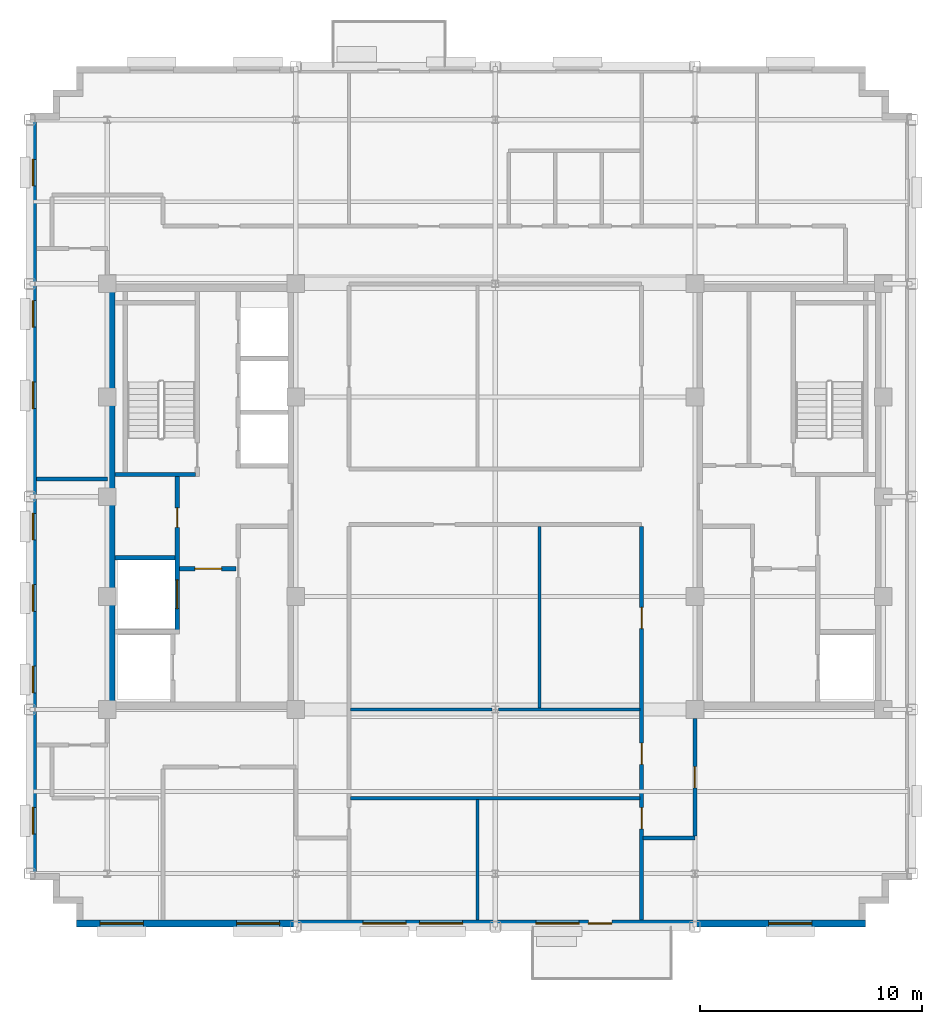
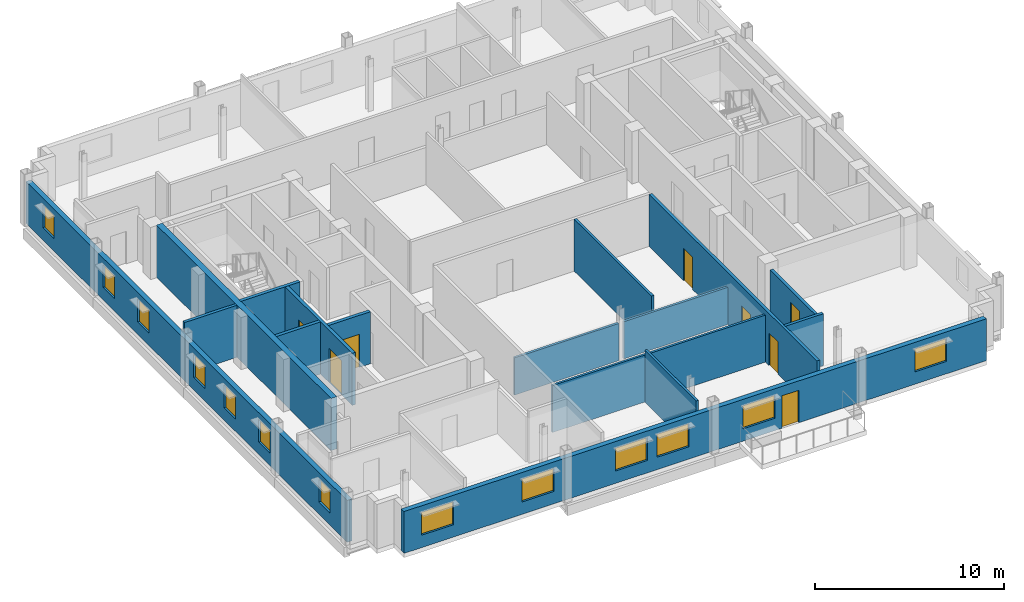
# One storey, part 6 of 13: 16 walls, 13 windows, 8 doors, 21 openings.
"""IFC4 building model written with IfcOpenShell, lengths in metres."""

from ifc_helpers import new_model, si_unit, direction, frame, frame_2d, origin, place, context, subcontext, project, spatial, rectangle, extrude, source, transform, mapped, material, layer, layer_set, type_object, type_shapes, element, fill, save


model = new_model("IFC4")

# Units and contexts
model_context = context("Model", 3, precision=1e-05, world=origin(), true_north=direction((0.0, 1.0)))
body_context = subcontext(model_context, "Body", "Model", "MODEL_VIEW")
ifc_project = project(units=[si_unit("LENGTHUNIT", "METRE"), si_unit("AREAUNIT", "SQUARE_METRE"), si_unit("VOLUMEUNIT", "CUBIC_METRE"), si_unit("PLANEANGLEUNIT", "RADIAN"), si_unit("MASSUNIT", "GRAM", prefix="KILO")], contexts=[model_context])

# Site, building, storey
site_placement = place(None, origin())
site = spatial("IfcSite", under=ifc_project, at=site_placement, CompositionType="ELEMENT")
building_placement = place(site_placement, origin())
building = spatial("IfcBuilding", under=site, at=building_placement, Name="Nuvemarco Arch Tower", CompositionType="ELEMENT")
storey_placement = place(building_placement, frame((0.0, 0.0, 276.199951171875)))
storey = spatial("IfcBuildingStorey", under=building, at=storey_placement, Name="L73", CompositionType="ELEMENT", Elevation=276.199951171875)

# Wall, openings, door, windows
ifc_material_1 = material(Name="Precast concrete C45/55", Category="concrete")
ifc_layer_1 = layer(ifc_material_1, 0.300048828125, Name="EW-HIGH-300")
ifc_layer_set_1 = layer_set([ifc_layer_1], Name="Precast concrete C45/55")
wall_type_1 = type_object("IfcWallType", Name="EW-HIGH-300", PredefinedType="STANDARD", material=ifc_layer_set_1)
wall_1_placement = place(storey_placement, frame((-18.89990234375, -19.25, 0.0), z_axis=(0.0, 0.0, 1.0), x_axis=(1.0, 0.0, 0.0)))
wall_1 = element("IfcWall", 1, at=wall_1_placement, inside=storey, type_object=wall_type_1, Name="L73 exterior precast facade wall 1", PredefinedType="STANDARD", context=body_context, shape_type="SweptSolid", body=[
    extrude(rectangle(XDim=35.599853515625, YDim=0.300048828125, at=frame_2d((17.7998046875, 0.0))), origin(), (0.0, 0.0, 1.0), 2.705078125),
])
opening_1_placement = place(wall_1_placement, frame((24.150146484375, 0.0, 0.0), z_axis=(0.0, 0.0, 1.0), x_axis=(-1.0, 0.0, 0.0)))
opening_1 = element("IfcOpeningElement", 2, at=opening_1_placement, cuts=wall_1, Name="Opening ED-5", PredefinedType="OPENING", context=body_context, shape_type="SweptSolid", body=[
    extrude(rectangle(XDim=1.050048828125, YDim=2.10009765625, at=frame_2d((0.52490234375, 1.050048828125))), frame((0.0, 0.159912109375, 0.0), z_axis=(0.0, -1.0, 0.0), x_axis=(1.0, 0.0, 0.0)), (0.0, 0.0, 1.0), 0.320068359375),
])
opening_2_placement = place(wall_1_placement, frame((1.074951171875, 0.0, 0.800048828125)))
opening_2 = element("IfcOpeningElement", 3, at=opening_2_placement, cuts=wall_1, Name="Opening WN-7", PredefinedType="OPENING", context=body_context, shape_type="SweptSolid", body=[
    extrude(rectangle(XDim=1.949951171875, YDim=1.47998046875, at=frame_2d((0.97509765625, 0.739990234375))), frame((0.0, 0.159912109375, 0.0), z_axis=(0.0, -1.0, 0.0), x_axis=(1.0, 0.0, 0.0)), (0.0, 0.0, 1.0), 0.320068359375),
])
opening_3_placement = place(wall_1_placement, frame((7.22509765625, 0.0, 0.800048828125)))
opening_3 = element("IfcOpeningElement", 4, at=opening_3_placement, cuts=wall_1, Name="Opening WN-7", PredefinedType="OPENING", context=body_context, shape_type="SweptSolid", body=[
    extrude(rectangle(XDim=1.949951171875, YDim=1.47998046875, at=frame_2d((0.97509765625, 0.739990234375))), frame((0.0, 0.159912109375, 0.0), z_axis=(0.0, -1.0, 0.0), x_axis=(1.0, 0.0, 0.0)), (0.0, 0.0, 1.0), 0.320068359375),
])
opening_4_placement = place(wall_1_placement, frame((12.925048828125, 0.0, 0.800048828125)))
opening_4 = element("IfcOpeningElement", 5, at=opening_4_placement, cuts=wall_1, Name="Opening WN-7", PredefinedType="OPENING", context=body_context, shape_type="SweptSolid", body=[
    extrude(rectangle(XDim=1.949951171875, YDim=1.47998046875, at=frame_2d((0.97509765625, 0.739990234375))), frame((0.0, 0.159912109375, 0.0), z_axis=(0.0, -1.0, 0.0), x_axis=(1.0, 0.0, 0.0)), (0.0, 0.0, 1.0), 0.320068359375),
])
opening_5_placement = place(wall_1_placement, frame((15.47509765625, 0.0, 0.800048828125)))
opening_5 = element("IfcOpeningElement", 6, at=opening_5_placement, cuts=wall_1, Name="Opening WN-7", PredefinedType="OPENING", context=body_context, shape_type="SweptSolid", body=[
    extrude(rectangle(XDim=1.949951171875, YDim=1.47998046875, at=frame_2d((0.97509765625, 0.739990234375))), frame((0.0, 0.159912109375, 0.0), z_axis=(0.0, -1.0, 0.0), x_axis=(1.0, 0.0, 0.0)), (0.0, 0.0, 1.0), 0.320068359375),
])
opening_6_placement = place(wall_1_placement, frame((20.72509765625, 0.0, 0.800048828125)))
opening_6 = element("IfcOpeningElement", 7, at=opening_6_placement, cuts=wall_1, Name="Opening WN-7", PredefinedType="OPENING", context=body_context, shape_type="SweptSolid", body=[
    extrude(rectangle(XDim=1.949951171875, YDim=1.47998046875, at=frame_2d((0.97509765625, 0.739990234375))), frame((0.0, 0.159912109375, 0.0), z_axis=(0.0, -1.0, 0.0), x_axis=(1.0, 0.0, 0.0)), (0.0, 0.0, 1.0), 0.320068359375),
])
opening_7_placement = place(wall_1_placement, frame((31.22509765625, 0.0, 0.800048828125)))
opening_7 = element("IfcOpeningElement", 8, at=opening_7_placement, cuts=wall_1, Name="Opening WN-7", PredefinedType="OPENING", context=body_context, shape_type="SweptSolid", body=[
    extrude(rectangle(XDim=1.949951171875, YDim=1.47998046875, at=frame_2d((0.97509765625, 0.739990234375))), frame((0.0, 0.159912109375, 0.0), z_axis=(0.0, -1.0, 0.0), x_axis=(1.0, 0.0, 0.0)), (0.0, 0.0, 1.0), 0.320068359375),
])
ifc_material_2 = material(Name="Anodised bronze and laminated glass", Category="glass")
door_type_1 = type_object("IfcDoorType", Name="DR-EXT-TERR", OperationType="NOTDEFINED", PredefinedType="DOOR", material=ifc_material_2)
shared_shape_1 = source(origin(), body_context, "Body", "SweptSolid", [
    extrude(rectangle(XDim=1.050048828125, YDim=2.10009765625, at=frame_2d((0.52490234375, 1.050048828125))), frame((0.0, 0.02490234375, 0.0), z_axis=(0.0, -1.0, 0.0), x_axis=(1.0, 0.0, 0.0)), (0.0, 0.0, 1.0), 0.050048828125),
])
type_shapes(door_type_1, [shared_shape_1])
door_1_placement = place(opening_1_placement, origin())
door_1 = element("IfcDoor", 9, at=door_1_placement, inside=storey, type_object=door_type_1, Name="L73 spiral terrace access door", OperationType="SINGLE_SWING_RIGHT", OverallHeight=2.10009765625, OverallWidth=1.050048828125, PredefinedType="DOOR", context=body_context, shape_type="MappedRepresentation", body=[
    mapped(shared_shape_1, transform((0.0, 0.0, 0.0), scale=1.0)),
])
fill(opening_1, door_1)
ifc_material_3 = material(Name="Insulated solar-control glass", Category="glass")
window_type_1 = type_object("IfcWindowType", Name="WN-HIGH-1950x1480", PartitioningType="DOUBLE_PANEL_VERTICAL", PredefinedType="WINDOW", material=ifc_material_3)
shared_shape_2 = source(origin(), body_context, "Body", "SweptSolid", [
    extrude(rectangle(XDim=1.949951171875, YDim=1.47998046875, at=frame_2d((0.97509765625, 0.739990234375))), frame((0.0, 0.030029296875, 0.0), z_axis=(0.0, -1.0, 0.0), x_axis=(1.0, 0.0, 0.0)), (0.0, 0.0, 1.0), 0.06005859375),
])
type_shapes(window_type_1, [shared_shape_2])
window_1_placement = place(opening_2_placement, origin())
window_1 = element("IfcWindow", 10, at=window_1_placement, inside=storey, type_object=window_type_1, Name="L73 punched facade window 1", OverallHeight=1.47998046875, OverallWidth=1.949951171875, PartitioningType="SINGLE_PANEL", PredefinedType="WINDOW", context=body_context, shape_type="MappedRepresentation", body=[
    mapped(shared_shape_2, transform((0.0, 0.0, 0.0), scale=1.0)),
])
fill(opening_2, window_1)
window_2_placement = place(opening_3_placement, origin())
window_2 = element("IfcWindow", 11, at=window_2_placement, inside=storey, type_object=window_type_1, Name="L73 punched facade window 2", OverallHeight=1.47998046875, OverallWidth=1.949951171875, PartitioningType="SINGLE_PANEL", PredefinedType="WINDOW", context=body_context, shape_type="MappedRepresentation", body=[
    mapped(shared_shape_2, transform((0.0, 0.0, 0.0), scale=1.0)),
])
fill(opening_3, window_2)
window_3_placement = place(opening_4_placement, origin())
window_3 = element("IfcWindow", 12, at=window_3_placement, inside=storey, type_object=window_type_1, Name="L73 punched facade window 3", OverallHeight=1.47998046875, OverallWidth=1.949951171875, PartitioningType="SINGLE_PANEL", PredefinedType="WINDOW", context=body_context, shape_type="MappedRepresentation", body=[
    mapped(shared_shape_2, transform((0.0, 0.0, 0.0), scale=1.0)),
])
fill(opening_4, window_3)
window_4_placement = place(opening_5_placement, origin())
window_4 = element("IfcWindow", 13, at=window_4_placement, inside=storey, type_object=window_type_1, Name="L73 punched facade window 4", OverallHeight=1.47998046875, OverallWidth=1.949951171875, PartitioningType="SINGLE_PANEL", PredefinedType="WINDOW", context=body_context, shape_type="MappedRepresentation", body=[
    mapped(shared_shape_2, transform((0.0, 0.0, 0.0), scale=1.0)),
])
fill(opening_5, window_4)
window_5_placement = place(opening_6_placement, origin())
window_5 = element("IfcWindow", 14, at=window_5_placement, inside=storey, type_object=window_type_1, Name="L73 punched facade window 5", OverallHeight=1.47998046875, OverallWidth=1.949951171875, PartitioningType="SINGLE_PANEL", PredefinedType="WINDOW", context=body_context, shape_type="MappedRepresentation", body=[
    mapped(shared_shape_2, transform((0.0, 0.0, 0.0), scale=1.0)),
])
fill(opening_6, window_5)
window_6_placement = place(opening_7_placement, origin())
window_6 = element("IfcWindow", 15, at=window_6_placement, inside=storey, type_object=window_type_1, Name="L73 punched facade window 7", OverallHeight=1.47998046875, OverallWidth=1.949951171875, PartitioningType="SINGLE_PANEL", PredefinedType="WINDOW", context=body_context, shape_type="MappedRepresentation", body=[
    mapped(shared_shape_2, transform((0.0, 0.0, 0.0), scale=1.0)),
])
fill(opening_7, window_6)

# Wall, openings, windows
wall_2_placement = place(storey_placement, frame((-20.85009765625, -17.00390625, 0.0), z_axis=(0.0, 0.0, 1.0), x_axis=(0.0, 1.0, 0.0)))
wall_2 = element("IfcWall", 16, at=wall_2_placement, inside=storey, type_object=wall_type_1, Name="L73 exterior precast facade wall 16", PredefinedType="STANDARD", context=body_context, shape_type="SweptSolid", body=[
    extrude(rectangle(XDim=34.0078125, YDim=0.300048828125, at=frame_2d((17.00390625, 0.0))), origin(), (0.0, 0.0, 1.0), 2.705078125),
])
opening_8_placement = place(wall_2_placement, frame((1.786376953125, 0.0, 0.800048828125)))
opening_8 = element("IfcOpeningElement", 17, at=opening_8_placement, cuts=wall_2, Name="Opening WN-8", PredefinedType="OPENING", context=body_context, shape_type="SweptSolid", body=[
    extrude(rectangle(XDim=1.199951171875, YDim=1.47998046875, at=frame_2d((0.60009765625, 0.739990234375))), frame((0.0, 0.159912109375, 0.0), z_axis=(0.0, -1.0, 0.0), x_axis=(1.0, 0.0, 0.0)), (0.0, 0.0, 1.0), 0.320068359375),
])
opening_9_placement = place(wall_2_placement, frame((8.158935546875, 0.0, 0.800048828125)))
opening_9 = element("IfcOpeningElement", 18, at=opening_9_placement, cuts=wall_2, Name="Opening WN-8", PredefinedType="OPENING", context=body_context, shape_type="SweptSolid", body=[
    extrude(rectangle(XDim=1.199951171875, YDim=1.47998046875, at=frame_2d((0.60009765625, 0.739990234375))), frame((0.0, 0.159912109375, 0.0), z_axis=(0.0, -1.0, 0.0), x_axis=(1.0, 0.0, 0.0)), (0.0, 0.0, 1.0), 0.320068359375),
])
opening_10_placement = place(wall_2_placement, frame((11.831298828125, 0.0, 0.800048828125)))
opening_10 = element("IfcOpeningElement", 19, at=opening_10_placement, cuts=wall_2, Name="Opening WN-8", PredefinedType="OPENING", context=body_context, shape_type="SweptSolid", body=[
    extrude(rectangle(XDim=1.199951171875, YDim=1.47998046875, at=frame_2d((0.60009765625, 0.739990234375))), frame((0.0, 0.159912109375, 0.0), z_axis=(0.0, -1.0, 0.0), x_axis=(1.0, 0.0, 0.0)), (0.0, 0.0, 1.0), 0.320068359375),
])
opening_11_placement = place(wall_2_placement, frame((15.053955078125, 0.0, 0.800048828125)))
opening_11 = element("IfcOpeningElement", 20, at=opening_11_placement, cuts=wall_2, Name="Opening WN-8", PredefinedType="OPENING", context=body_context, shape_type="SweptSolid", body=[
    extrude(rectangle(XDim=1.199951171875, YDim=1.47998046875, at=frame_2d((0.60009765625, 0.739990234375))), frame((0.0, 0.159912109375, 0.0), z_axis=(0.0, -1.0, 0.0), x_axis=(1.0, 0.0, 0.0)), (0.0, 0.0, 1.0), 0.320068359375),
])
opening_12_placement = place(wall_2_placement, frame((20.9765625, 0.0, 0.800048828125)))
opening_12 = element("IfcOpeningElement", 21, at=opening_12_placement, cuts=wall_2, Name="Opening WN-8", PredefinedType="OPENING", context=body_context, shape_type="SweptSolid", body=[
    extrude(rectangle(XDim=1.199951171875, YDim=1.47998046875, at=frame_2d((0.60009765625, 0.739990234375))), frame((0.0, 0.159912109375, 0.0), z_axis=(0.0, -1.0, 0.0), x_axis=(1.0, 0.0, 0.0)), (0.0, 0.0, 1.0), 0.320068359375),
])
opening_13_placement = place(wall_2_placement, frame((24.649169921875, 0.0, 0.800048828125)))
opening_13 = element("IfcOpeningElement", 22, at=opening_13_placement, cuts=wall_2, Name="Opening WN-8", PredefinedType="OPENING", context=body_context, shape_type="SweptSolid", body=[
    extrude(rectangle(XDim=1.199951171875, YDim=1.47998046875, at=frame_2d((0.60009765625, 0.739990234375))), frame((0.0, 0.159912109375, 0.0), z_axis=(0.0, -1.0, 0.0), x_axis=(1.0, 0.0, 0.0)), (0.0, 0.0, 1.0), 0.320068359375),
])
opening_14_placement = place(wall_2_placement, frame((31.021728515625, 0.0, 0.800048828125)))
opening_14 = element("IfcOpeningElement", 23, at=opening_14_placement, cuts=wall_2, Name="Opening WN-8", PredefinedType="OPENING", context=body_context, shape_type="SweptSolid", body=[
    extrude(rectangle(XDim=1.199951171875, YDim=1.47998046875, at=frame_2d((0.60009765625, 0.739990234375))), frame((0.0, 0.159912109375, 0.0), z_axis=(0.0, -1.0, 0.0), x_axis=(1.0, 0.0, 0.0)), (0.0, 0.0, 1.0), 0.320068359375),
])
window_type_2 = type_object("IfcWindowType", Name="WN-HIGH-1200x1480", PartitioningType="SINGLE_PANEL", PredefinedType="WINDOW", material=ifc_material_3)
shared_shape_3 = source(origin(), body_context, "Body", "SweptSolid", [
    extrude(rectangle(XDim=1.199951171875, YDim=1.47998046875, at=frame_2d((0.60009765625, 0.739990234375))), frame((0.0, 0.030029296875, 0.0), z_axis=(0.0, -1.0, 0.0), x_axis=(1.0, 0.0, 0.0)), (0.0, 0.0, 1.0), 0.06005859375),
])
type_shapes(window_type_2, [shared_shape_3])
window_7_placement = place(opening_8_placement, origin())
window_7 = element("IfcWindow", 24, at=window_7_placement, inside=storey, type_object=window_type_2, Name="L73 punched facade window 1", OverallHeight=1.47998046875, OverallWidth=1.199951171875, PartitioningType="SINGLE_PANEL", PredefinedType="WINDOW", context=body_context, shape_type="MappedRepresentation", body=[
    mapped(shared_shape_3, transform((0.0, 0.0, 0.0), scale=1.0)),
])
fill(opening_8, window_7)
window_8_placement = place(opening_9_placement, origin())
window_8 = element("IfcWindow", 25, at=window_8_placement, inside=storey, type_object=window_type_2, Name="L73 punched facade window 2", OverallHeight=1.47998046875, OverallWidth=1.199951171875, PartitioningType="SINGLE_PANEL", PredefinedType="WINDOW", context=body_context, shape_type="MappedRepresentation", body=[
    mapped(shared_shape_3, transform((0.0, 0.0, 0.0), scale=1.0)),
])
fill(opening_9, window_8)
window_9_placement = place(opening_10_placement, origin())
window_9 = element("IfcWindow", 26, at=window_9_placement, inside=storey, type_object=window_type_2, Name="L73 punched facade window 3", OverallHeight=1.47998046875, OverallWidth=1.199951171875, PartitioningType="SINGLE_PANEL", PredefinedType="WINDOW", context=body_context, shape_type="MappedRepresentation", body=[
    mapped(shared_shape_3, transform((0.0, 0.0, 0.0), scale=1.0)),
])
fill(opening_10, window_9)
window_10_placement = place(opening_11_placement, origin())
window_10 = element("IfcWindow", 27, at=window_10_placement, inside=storey, type_object=window_type_2, Name="L73 punched facade window 4", OverallHeight=1.47998046875, OverallWidth=1.199951171875, PartitioningType="SINGLE_PANEL", PredefinedType="WINDOW", context=body_context, shape_type="MappedRepresentation", body=[
    mapped(shared_shape_3, transform((0.0, 0.0, 0.0), scale=1.0)),
])
fill(opening_11, window_10)
window_11_placement = place(opening_12_placement, origin())
window_11 = element("IfcWindow", 28, at=window_11_placement, inside=storey, type_object=window_type_2, Name="L73 punched facade window 5", OverallHeight=1.47998046875, OverallWidth=1.199951171875, PartitioningType="SINGLE_PANEL", PredefinedType="WINDOW", context=body_context, shape_type="MappedRepresentation", body=[
    mapped(shared_shape_3, transform((0.0, 0.0, 0.0), scale=1.0)),
])
fill(opening_12, window_11)
window_12_placement = place(opening_13_placement, origin())
window_12 = element("IfcWindow", 29, at=window_12_placement, inside=storey, type_object=window_type_2, Name="L73 punched facade window 6", OverallHeight=1.47998046875, OverallWidth=1.199951171875, PartitioningType="SINGLE_PANEL", PredefinedType="WINDOW", context=body_context, shape_type="MappedRepresentation", body=[
    mapped(shared_shape_3, transform((0.0, 0.0, 0.0), scale=1.0)),
])
fill(opening_13, window_12)
window_13_placement = place(opening_14_placement, origin())
window_13 = element("IfcWindow", 30, at=window_13_placement, inside=storey, type_object=window_type_2, Name="L73 punched facade window 7", OverallHeight=1.47998046875, OverallWidth=1.199951171875, PartitioningType="SINGLE_PANEL", PredefinedType="WINDOW", context=body_context, shape_type="MappedRepresentation", body=[
    mapped(shared_shape_3, transform((0.0, 0.0, 0.0), scale=1.0)),
])
fill(opening_14, window_13)

# Walls
ifc_material_4 = material(Name="Concrete C50/60", Category="concrete")
ifc_layer_2 = layer(ifc_material_4, 0.35009765625, Name="WL-CORE-350")
ifc_layer_set_2 = layer_set([ifc_layer_2], Name="Concrete C50/60")
wall_type_2 = type_object("IfcWallType", Name="WL-CORE-350", PredefinedType="SHEAR", material=ifc_layer_set_2)
wall_3_placement = place(storey_placement, frame((-17.324951171875, -9.2548828125, 0.0), z_axis=(0.0, 0.0, 1.0), x_axis=(0.0, 1.0, 0.0)))
element("IfcWall", 31, at=wall_3_placement, inside=storey, type_object=wall_type_2, Name="L73 W-core shear wall W", PredefinedType="SHEAR", context=body_context, shape_type="SweptSolid", body=[
    extrude(rectangle(XDim=18.509765625, YDim=0.35009765625, at=frame_2d((9.2548828125, 0.0))), origin(), (0.0, 0.0, 1.0), 3.3701171875),
])
ifc_material_5 = material(Name="Fire-rated gypsum drywall partition")
ifc_layer_3 = layer(ifc_material_5, 0.179931640625, Name="WL-CORR-180")
ifc_layer_set_3 = layer_set([ifc_layer_3], Name="Fire-rated gypsum drywall partition")
wall_type_3 = type_object("IfcWallType", Name="WL-CORR-180", PredefinedType="PARTITIONING", material=ifc_layer_set_3)
wall_4_placement = place(storey_placement, frame((6.666015625, -15.39990234375, 0.0), z_axis=(0.0, 0.0, 1.0), x_axis=(1.0, 0.0, 0.0)))
element("IfcWall", 32, at=wall_4_placement, inside=storey, type_object=wall_type_3, Name="L73 interior wall IW-L73-002", PredefinedType="PARTITIONING", context=body_context, shape_type="SweptSolid", body=[
    extrude(rectangle(XDim=2.333984375, YDim=0.179931640625, at=frame_2d((1.1669921875, 0.0))), origin(), (0.0, 0.0, 1.0), 3.360107421875),
])
wall_5_placement = place(storey_placement, frame((-20.699951171875, 0.800048828125, 0.0), z_axis=(0.0, 0.0, 1.0), x_axis=(1.0, 0.0, 0.0)))
element("IfcWall", 33, at=wall_5_placement, inside=storey, type_object=wall_type_3, Name="L73 interior wall IW-L73-010", PredefinedType="PARTITIONING", context=body_context, shape_type="SweptSolid", body=[
    extrude(rectangle(XDim=3.199951171875, YDim=0.179931640625, at=frame_2d((1.60009765625, 0.0))), origin(), (0.0, 0.0, 1.0), 3.360107421875),
])

# Wall, openings, doors
wall_6_placement = place(storey_placement, frame((6.60009765625, -19.10009765625, 0.0), z_axis=(0.0, 0.0, 1.0), x_axis=(0.0, 1.0, 0.0)))
wall_6 = element("IfcWall", 34, at=wall_6_placement, inside=storey, type_object=wall_type_3, Name="L73 interior wall IW-L73-034", PredefinedType="PARTITIONING", context=body_context, shape_type="SweptSolid", body=[
    extrude(rectangle(XDim=17.76416015625, YDim=0.179931640625, at=frame_2d((8.882080078125, 0.0))), origin(), (0.0, 0.0, 1.0), 3.360107421875),
])
opening_15_placement = place(wall_6_placement, frame((13.152099609375, 0.0, 0.0)))
opening_15 = element("IfcOpeningElement", 35, at=opening_15_placement, cuts=wall_6, Name="Opening FD-5", PredefinedType="OPENING", context=body_context, shape_type="SweptSolid", body=[
    extrude(rectangle(XDim=0.9599609375, YDim=2.10009765625, at=frame_2d((0.47998046875, 1.050048828125))), frame((0.0, 0.099853515625, 0.0), z_axis=(0.0, -1.0, 0.0), x_axis=(1.0, 0.0, 0.0)), (0.0, 0.0, 1.0), 0.199951171875),
])
opening_16_placement = place(wall_6_placement, frame((7.02001953125, 0.0, 0.0)))
opening_16 = element("IfcOpeningElement", 36, at=opening_16_placement, cuts=wall_6, Name="Opening FD-5", PredefinedType="OPENING", context=body_context, shape_type="SweptSolid", body=[
    extrude(rectangle(XDim=0.9599609375, YDim=2.10009765625, at=frame_2d((0.47998046875, 1.050048828125))), frame((0.0, 0.099853515625, 0.0), z_axis=(0.0, -1.0, 0.0), x_axis=(1.0, 0.0, 0.0)), (0.0, 0.0, 1.0), 0.199951171875),
])
opening_17_placement = place(wall_6_placement, frame((4.1201171875, 0.0, 0.0)))
opening_17 = element("IfcOpeningElement", 37, at=opening_17_placement, cuts=wall_6, Name="Opening FD-5", PredefinedType="OPENING", context=body_context, shape_type="SweptSolid", body=[
    extrude(rectangle(XDim=0.9599609375, YDim=2.10009765625, at=frame_2d((0.47998046875, 1.050048828125))), frame((0.0, 0.099853515625, 0.0), z_axis=(0.0, -1.0, 0.0), x_axis=(1.0, 0.0, 0.0)), (0.0, 0.0, 1.0), 0.199951171875),
])
ifc_material_6 = material(Name="Timber fire door", Category="wood")
door_type_2 = type_object("IfcDoorType", Name="DR-CORR-FD", OperationType="NOTDEFINED", PredefinedType="DOOR", material=ifc_material_6)
shared_shape_4 = source(origin(), body_context, "Body", "SweptSolid", [
    extrude(rectangle(XDim=0.9599609375, YDim=2.10009765625, at=frame_2d((0.47998046875, 1.050048828125))), frame((0.0, 0.02490234375, 0.0), z_axis=(0.0, -1.0, 0.0), x_axis=(1.0, 0.0, 0.0)), (0.0, 0.0, 1.0), 0.050048828125),
])
type_shapes(door_type_2, [shared_shape_4])
door_2_placement = place(opening_15_placement, origin())
door_2 = element("IfcDoor", 38, at=door_2_placement, inside=storey, type_object=door_type_2, Name="L73 door DR-L73-C_S2", OperationType="SINGLE_SWING_LEFT", OverallHeight=2.10009765625, OverallWidth=0.9599609375, PredefinedType="DOOR", context=body_context, shape_type="MappedRepresentation", body=[
    mapped(shared_shape_4, transform((0.0, 0.0, 0.0), scale=1.0)),
])
fill(opening_15, door_2)
door_3_placement = place(opening_16_placement, origin())
door_3 = element("IfcDoor", 39, at=door_3_placement, inside=storey, type_object=door_type_2, Name="L73 door DR-L73-S_3", OperationType="SINGLE_SWING_RIGHT", OverallHeight=2.10009765625, OverallWidth=0.9599609375, PredefinedType="DOOR", context=body_context, shape_type="MappedRepresentation", body=[
    mapped(shared_shape_4, transform((0.0, 0.0, 0.0), scale=1.0)),
])
fill(opening_16, door_3)
door_4_placement = place(opening_17_placement, origin())
door_4 = element("IfcDoor", 40, at=door_4_placement, inside=storey, type_object=door_type_2, Name="L73 door DR-L73-S_5", OperationType="SINGLE_SWING_LEFT", OverallHeight=2.10009765625, OverallWidth=0.9599609375, PredefinedType="DOOR", context=body_context, shape_type="MappedRepresentation", body=[
    mapped(shared_shape_4, transform((0.0, 0.0, 0.0), scale=1.0)),
])
fill(opening_17, door_4)

# Wall, opening, door
wall_7_placement = place(storey_placement, frame((9.0, -15.31396484375, 0.0), z_axis=(0.0, 0.0, 1.0), x_axis=(0.0, 1.0, 0.0)))
wall_7 = element("IfcWall", 41, at=wall_7_placement, inside=storey, type_object=wall_type_3, Name="L73 interior wall IW-L73-037", PredefinedType="PARTITIONING", context=body_context, shape_type="SweptSolid", body=[
    extrude(rectangle(XDim=5.31787109375, YDim=0.179931640625, at=frame_2d((2.658935546875, 0.0))), origin(), (0.0, 0.0, 1.0), 2.89208984375),
])
opening_18_placement = place(wall_7_placement, frame((2.178955078125, 0.0, 0.0)))
opening_18 = element("IfcOpeningElement", 42, at=opening_18_placement, cuts=wall_7, Name="Opening FD-5", PredefinedType="OPENING", context=body_context, shape_type="SweptSolid", body=[
    extrude(rectangle(XDim=0.9599609375, YDim=2.10009765625, at=frame_2d((0.47998046875, 1.050048828125))), frame((0.0, 0.099853515625, 0.0), z_axis=(0.0, -1.0, 0.0), x_axis=(1.0, 0.0, 0.0)), (0.0, 0.0, 1.0), 0.199951171875),
])
door_5_placement = place(opening_18_placement, origin())
door_5 = element("IfcDoor", 43, at=door_5_placement, inside=storey, type_object=door_type_2, Name="L73 door DR-L73-S_6", OperationType="SINGLE_SWING_LEFT", OverallHeight=2.10009765625, OverallWidth=0.9599609375, PredefinedType="DOOR", context=body_context, shape_type="MappedRepresentation", body=[
    mapped(shared_shape_4, transform((0.0, 0.0, 0.0), scale=1.0)),
])
fill(opening_18, door_5)

# Walls
ifc_material_7 = material(Name="Gypsum plasterboard partition")
ifc_layer_4 = layer(ifc_material_7, 0.139892578125, Name="WL-ROOM-140")
ifc_layer_set_4 = layer_set([ifc_layer_4], Name="Gypsum plasterboard partition")
wall_type_4 = type_object("IfcWallType", Name="WL-ROOM-140", PredefinedType="PARTITIONING", material=ifc_layer_set_4)
wall_8_placement = place(storey_placement, frame((-6.52392578125, -13.60009765625, 0.0), z_axis=(0.0, 0.0, 1.0), x_axis=(1.0, 0.0, 0.0)))
element("IfcWall", 44, at=wall_8_placement, inside=storey, type_object=wall_type_4, Name="L73 interior wall IW-L73-004", PredefinedType="PARTITIONING", context=body_context, shape_type="SweptSolid", body=[
    extrude(rectangle(XDim=13.057861328125, YDim=0.139892578125, at=frame_2d((6.52880859375, 0.0))), origin(), (0.0, 0.0, 1.0), 3.0380859375),
])
wall_9_placement = place(storey_placement, frame((-6.52392578125, -9.60009765625, 0.0), z_axis=(0.0, 0.0, 1.0), x_axis=(1.0, 0.0, 0.0)))
element("IfcWall", 45, at=wall_9_placement, inside=storey, type_object=wall_type_4, Name="L73 interior wall IW-L73-007", PredefinedType="PARTITIONING", context=body_context, shape_type="SweptSolid", body=[
    extrude(rectangle(XDim=6.373046875, YDim=0.139892578125, at=frame_2d((3.1865234375, 0.0))), origin(), (0.0, 0.0, 1.0), 2.405029296875),
])
wall_10_placement = place(storey_placement, frame((0.15087890625, -9.60009765625, 0.0), z_axis=(0.0, 0.0, 1.0), x_axis=(1.0, 0.0, 0.0)))
element("IfcWall", 46, at=wall_10_placement, inside=storey, type_object=wall_type_4, Name="L73 interior wall IW-L73-008", PredefinedType="PARTITIONING", context=body_context, shape_type="SweptSolid", body=[
    extrude(rectangle(XDim=6.383056640625, YDim=0.139892578125, at=frame_2d((3.19140625, 0.0))), origin(), (0.0, 0.0, 1.0), 2.405029296875),
])
wall_11_placement = place(storey_placement, frame((-0.800048828125, -19.10009765625, 0.0), z_axis=(0.0, 0.0, 1.0), x_axis=(0.0, 1.0, 0.0)))
element("IfcWall", 47, at=wall_11_placement, inside=storey, type_object=wall_type_4, Name="L73 interior wall IW-L73-028", PredefinedType="PARTITIONING", context=body_context, shape_type="SweptSolid", body=[
    extrude(rectangle(XDim=5.43408203125, YDim=0.139892578125, at=frame_2d((2.717041015625, 0.0))), origin(), (0.0, 0.0, 1.0), 3.360107421875),
])
wall_12_placement = place(storey_placement, frame((2.0, -9.533935546875, 0.0), z_axis=(0.0, 0.0, 1.0), x_axis=(0.0, 1.0, 0.0)))
element("IfcWall", 48, at=wall_12_placement, inside=storey, type_object=wall_type_4, Name="L73 interior wall IW-L73-031", PredefinedType="PARTITIONING", context=body_context, shape_type="SweptSolid", body=[
    extrude(rectangle(XDim=8.197998046875, YDim=0.139892578125, at=frame_2d((4.09912109375, 0.0))), origin(), (0.0, 0.0, 1.0), 3.360107421875),
])
ifc_layer_5 = layer(ifc_material_4, 0.199951171875, Name="WL-SHAFT-220")
ifc_layer_set_5 = layer_set([ifc_layer_5], Name="Concrete C50/60")
wall_type_5 = type_object("IfcWallType", Name="WL-SHAFT-220", PredefinedType="SHEAR", material=ifc_layer_set_5)
wall_13_placement = place(storey_placement, frame((-17.155029296875, 1.0, 0.0), z_axis=(0.0, 0.0, 1.0), x_axis=(1.0, 0.0, 0.0)))
element("IfcWall", 49, at=wall_13_placement, inside=storey, type_object=wall_type_5, Name="L73 structural shaft wall SW-L73-W-ST1S", PredefinedType="SHEAR", context=body_context, shape_type="SweptSolid", body=[
    extrude(rectangle(XDim=3.6201171875, YDim=0.199951171875, at=frame_2d((1.81005859375, 0.0))), origin(), (0.0, 0.0, 1.0), 3.3701171875),
])

# Wall, openings, doors
wall_14_placement = place(storey_placement, frame((-14.35009765625, -6.199951171875, 0.0), z_axis=(0.0, 0.0, 1.0), x_axis=(0.0, 1.0, 0.0)))
wall_14 = element("IfcWall", 50, at=wall_14_placement, inside=storey, type_object=wall_type_5, Name="L73 structural shaft wall SW-L73-W-SVE", PredefinedType="SHEAR", context=body_context, shape_type="SweptSolid", body=[
    extrude(rectangle(XDim=7.10498046875, YDim=0.199951171875, at=frame_2d((3.552490234375, 0.0))), origin(), (0.0, 0.0, 1.0), 3.3701171875),
])
opening_19_placement = place(wall_14_placement, frame((5.68994140625, 0.0, 0.0), z_axis=(0.0, 0.0, 1.0), x_axis=(-1.0, 0.0, 0.0)))
opening_19 = element("IfcOpeningElement", 51, at=opening_19_placement, cuts=wall_14, Name="Opening FD-4", PredefinedType="OPENING", context=body_context, shape_type="SweptSolid", body=[
    extrude(rectangle(XDim=0.8798828125, YDim=2.10009765625, at=frame_2d((0.43994140625, 1.050048828125))), frame((0.0, 0.10986328125, 0.0), z_axis=(0.0, -1.0, 0.0), x_axis=(1.0, 0.0, 0.0)), (0.0, 0.0, 1.0), 0.219970703125),
])
opening_20_placement = place(wall_14_placement, frame((1.14990234375, 0.0, 0.0)))
opening_20 = element("IfcOpeningElement", 52, at=opening_20_placement, cuts=wall_14, Name="Opening LD-3", PredefinedType="OPENING", context=body_context, shape_type="SweptSolid", body=[
    extrude(rectangle(XDim=1.300048828125, YDim=2.199951171875, at=frame_2d((0.64990234375, 1.10009765625))), frame((0.0, 0.10986328125, 0.0), z_axis=(0.0, -1.0, 0.0), x_axis=(1.0, 0.0, 0.0)), (0.0, 0.0, 1.0), 0.219970703125),
])
ifc_material_8 = material(Name="Anodised steel fire door", Category="steel")
door_type_3 = type_object("IfcDoorType", Name="DR-RISER-FD", OperationType="NOTDEFINED", PredefinedType="DOOR", material=ifc_material_8)
shared_shape_5 = source(origin(), body_context, "Body", "SweptSolid", [
    extrude(rectangle(XDim=0.8798828125, YDim=2.10009765625, at=frame_2d((0.43994140625, 1.050048828125))), frame((0.0, 0.02490234375, 0.0), z_axis=(0.0, -1.0, 0.0), x_axis=(1.0, 0.0, 0.0)), (0.0, 0.0, 1.0), 0.050048828125),
])
type_shapes(door_type_3, [shared_shape_5])
door_6_placement = place(opening_19_placement, origin())
door_6 = element("IfcDoor", 53, at=door_6_placement, inside=storey, type_object=door_type_3, Name="L73 door FD-L73-WRIS", OperationType="SINGLE_SWING_RIGHT", OverallHeight=2.10009765625, OverallWidth=0.8798828125, PredefinedType="DOOR", context=body_context, shape_type="MappedRepresentation", body=[
    mapped(shared_shape_5, transform((0.0, 0.0, 0.0), scale=1.0)),
])
fill(opening_19, door_6)
ifc_material_9 = material(Name="Stainless steel lift door", Category="steel")
door_type_4 = type_object("IfcDoorType", Name="DR-LIFT-SERV", OperationType="DOUBLE_DOOR_SLIDING", PredefinedType="DOOR", material=ifc_material_9)
shared_shape_6 = source(origin(), body_context, "Body", "SweptSolid", [
    extrude(rectangle(XDim=1.300048828125, YDim=2.199951171875, at=frame_2d((0.64990234375, 1.10009765625))), frame((0.0, 0.02490234375, 0.0), z_axis=(0.0, -1.0, 0.0), x_axis=(1.0, 0.0, 0.0)), (0.0, 0.0, 1.0), 0.050048828125),
])
type_shapes(door_type_4, [shared_shape_6])
door_7_placement = place(opening_20_placement, origin())
door_7 = element("IfcDoor", 54, at=door_7_placement, inside=storey, type_object=door_type_4, Name="L73 Lift landing sliding door SVL-1", OperationType="DOUBLE_DOOR_SLIDING", OverallHeight=2.199951171875, OverallWidth=1.300048828125, PredefinedType="DOOR", context=body_context, shape_type="MappedRepresentation", body=[
    mapped(shared_shape_6, transform((0.0, 0.0, 0.0), scale=1.0)),
])
fill(opening_20, door_7)

# Wall
wall_15_placement = place(storey_placement, frame((-17.155029296875, -2.75, 0.0), z_axis=(0.0, 0.0, 1.0), x_axis=(1.0, 0.0, 0.0)))
element("IfcWall", 55, at=wall_15_placement, inside=storey, type_object=wall_type_5, Name="L73 structural shaft wall SW-L73-W-SH2", PredefinedType="SHEAR", context=body_context, shape_type="SweptSolid", body=[
    extrude(rectangle(XDim=2.7099609375, YDim=0.199951171875, at=frame_2d((1.35498046875, 0.0))), origin(), (0.0, 0.0, 1.0), 3.3701171875),
])

# Wall, opening, door
wall_16_placement = place(storey_placement, frame((-14.2548828125, -3.25, 0.0), z_axis=(0.0, 0.0, 1.0), x_axis=(1.0, 0.0, 0.0)))
wall_16 = element("IfcWall", 56, at=wall_16_placement, inside=storey, type_object=wall_type_5, Name="L73 structural shaft wall SW-L73-W-FFN", PredefinedType="SHEAR", context=body_context, shape_type="SweptSolid", body=[
    extrude(rectangle(XDim=2.559814453125, YDim=0.199951171875, at=frame_2d((1.27978515625, 0.0))), origin(), (0.0, 0.0, 1.0), 3.3701171875),
])
opening_21_placement = place(wall_16_placement, frame((0.705078125, 0.0, 0.0)))
opening_21 = element("IfcOpeningElement", 57, at=opening_21_placement, cuts=wall_16, Name="Opening FD-2", PredefinedType="OPENING", context=body_context, shape_type="SweptSolid", body=[
    extrude(rectangle(XDim=1.199951171875, YDim=2.14990234375, at=frame_2d((0.60009765625, 1.074951171875))), frame((0.0, 0.10986328125, 0.0), z_axis=(0.0, -1.0, 0.0), x_axis=(1.0, 0.0, 0.0)), (0.0, 0.0, 1.0), 0.219970703125),
])
door_type_5 = type_object("IfcDoorType", Name="DR-FFLOB-FD", OperationType="NOTDEFINED", PredefinedType="DOOR", material=ifc_material_8)
shared_shape_7 = source(origin(), body_context, "Body", "SweptSolid", [
    extrude(rectangle(XDim=1.199951171875, YDim=2.14990234375, at=frame_2d((0.60009765625, 1.074951171875))), frame((0.0, 0.02490234375, 0.0), z_axis=(0.0, -1.0, 0.0), x_axis=(1.0, 0.0, 0.0)), (0.0, 0.0, 1.0), 0.050048828125),
])
type_shapes(door_type_5, [shared_shape_7])
door_8_placement = place(opening_21_placement, origin())
door_8 = element("IfcDoor", 58, at=door_8_placement, inside=storey, type_object=door_type_5, Name="L73 door FD-L73-WFF1", OperationType="SINGLE_SWING_RIGHT", OverallHeight=2.14990234375, OverallWidth=1.199951171875, PredefinedType="DOOR", context=body_context, shape_type="MappedRepresentation", body=[
    mapped(shared_shape_7, transform((0.0, 0.0, 0.0), scale=1.0)),
])
fill(opening_21, door_8)

save(model, "model.ifc")
